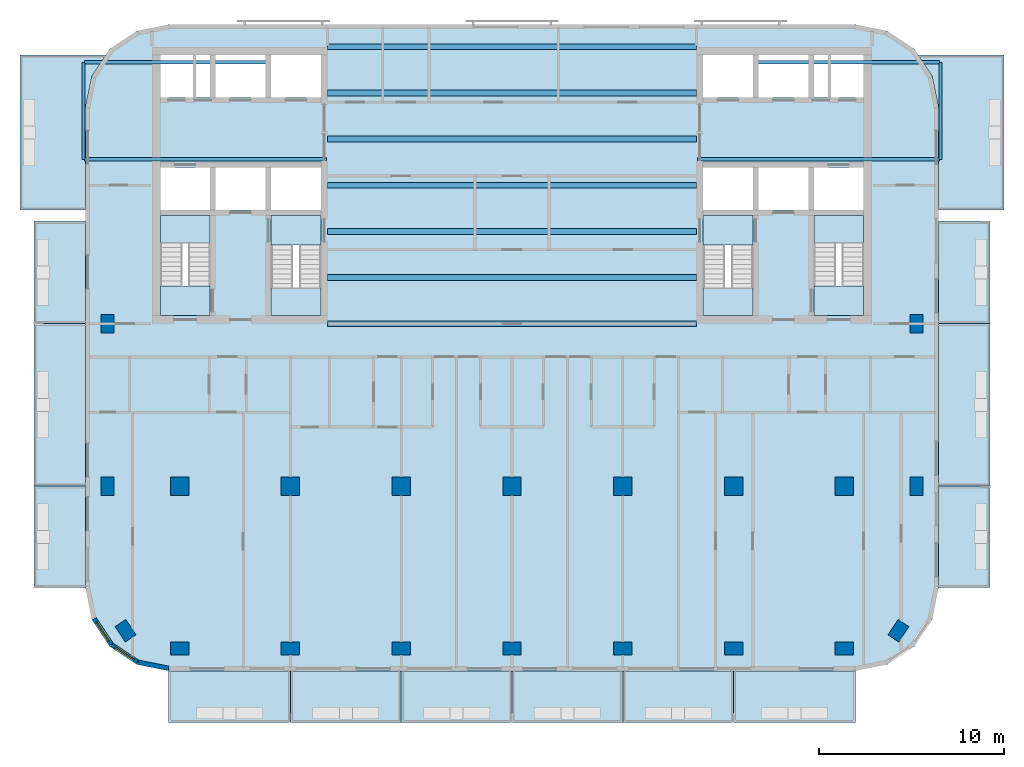
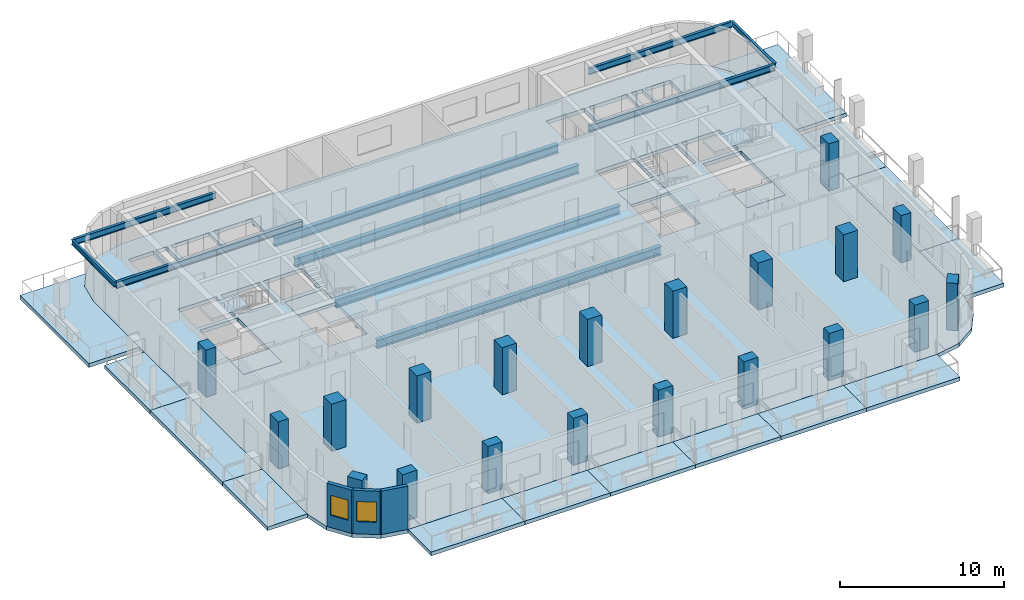
# One storey, part 1 of 11: 23 slabs, 20 columns, 13 beams, 3 walls, 2 windows, 2 openings, 4 elements without a shape of their own.
"""IFC4 building model written with IfcOpenShell, lengths in metres."""

from ifc_helpers import new_model, si_unit, direction, frame, frame_2d, origin, origin_2d, place, context, subcontext, project, spatial, polyline, rectangle, i_section, outline, extrude, material, layer, layer_set, material_profile, profile_set, type_object, element, fill, aggregate, save


model = new_model("IFC4")

# Units and contexts
model_context = context("Model", 3, precision=1e-05, world=origin(), true_north=direction((0.0, 1.0)))
body_context = subcontext(model_context, "Body", "Model", "MODEL_VIEW")
ifc_project = project(units=[si_unit("LENGTHUNIT", "METRE"), si_unit("AREAUNIT", "SQUARE_METRE"), si_unit("VOLUMEUNIT", "CUBIC_METRE"), si_unit("PLANEANGLEUNIT", "RADIAN"), si_unit("MASSUNIT", "GRAM", prefix="KILO")], contexts=[model_context])

# Site, building, storey
site_placement = place(None, origin())
site = spatial("IfcSite", under=ifc_project, at=site_placement, CompositionType="ELEMENT")
building_placement = place(site_placement, origin())
building = spatial("IfcBuilding", under=site, at=building_placement, Name="Torana Hotel and Residences", CompositionType="ELEMENT")
storey_placement = place(building_placement, frame((0.0, 0.0, 259.60009765625)))
storey = spatial("IfcBuildingStorey", under=building, at=storey_placement, Name="L68", CompositionType="ELEMENT", Elevation=259.60009765625)

# Columns
ifc_material_1 = material(Name="Concrete C50/60", Category="concrete")
ifc_material_profile_1 = material_profile(ifc_material_1, rectangle(XDim=1.0, YDim=1.0, at=origin_2d()), Name="RC 1000x1000")
ifc_profile_set_1 = profile_set([ifc_material_profile_1], Name="Concrete C50/60")
column_type_1 = type_object("IfcColumnType", Name="COLUMN RC 1000x1000 C50/60", PredefinedType="COLUMN", material=ifc_profile_set_1)
for number, where, z_axis, x_axis, name in (
    (1, (-18.0, -23.800048828125, 0.0), (0.0, 0.0, 1.0), (1.0, 0.0, 0.0), "Column L68"),
    (2, (-12.0, -23.800048828125, 0.0), (0.0, 0.0, 1.0), (1.0, 0.0, 0.0), "Column L68"),
    (3, (-6.0, -23.800048828125, 0.0), (0.0, 0.0, 1.0), (1.0, 0.0, 0.0), "Column L68"),
    (4, (0.0, -23.800048828125, 0.0), (0.0, 0.0, 1.0), (1.0, 0.0, 0.0), "Column L68"),
    (5, (6.0, -23.800048828125, 0.0), (0.0, 0.0, 1.0), (1.0, 0.0, 0.0), "Column L68"),
    (6, (12.0, -23.800048828125, 0.0), (0.0, 0.0, 1.0), (1.0, 0.0, 0.0), "Column L68"),
    (7, (18.0, -23.800048828125, 0.0), (0.0, 0.0, 1.0), (1.0, 0.0, 0.0), "Column L68"),
):
    element("IfcColumn", number, at=place(storey_placement, frame(where, z_axis=z_axis, x_axis=x_axis)), inside=storey, type_object=column_type_1, Name=name, PredefinedType="COLUMN", context=body_context, shape_type="SweptSolid", body=[
        extrude(rectangle(XDim=1.0, YDim=1.0, at=origin_2d()), origin(), (0.0, 0.0, 1.0), 3.5),
    ])
ifc_material_2 = material(Name="Concrete C50/60", Category="concrete")
ifc_material_profile_2 = material_profile(ifc_material_2, rectangle(XDim=1.0, YDim=0.699951171875, at=origin_2d()), Name="RC 1000x700")
ifc_profile_set_2 = profile_set([ifc_material_profile_2], Name="Concrete C50/60")
column_type_2 = type_object("IfcColumnType", Name="COLUMN RC 1000x700 C50/60", PredefinedType="COLUMN", material=ifc_profile_set_2)
for number, where, z_axis, x_axis, name in (
    (8, (-21.89990234375, -23.800048828125, 0.0), (0.0, 0.0, 1.0), (0.0, 1.0, 0.0), "Column L68"),
    (9, (-21.89990234375, -15.0, 0.0), (0.0, 0.0, 1.0), (0.0, 1.0, 0.0), "Column L68"),
    (10, (-20.93310546875, -31.633056640625, 0.0), (0.0, 0.0, 1.0), (-0.555584744817, 0.831459915646, 0.0), "Column L68"),
    (11, (-18.0, -32.60009765625, 0.0), (0.0, 0.0, 1.0), (1.0, 0.0, 0.0), "Column L68"),
    (12, (-12.0, -32.60009765625, 0.0), (0.0, 0.0, 1.0), (1.0, 0.0, 0.0), "Column L68"),
    (13, (-6.0, -32.60009765625, 0.0), (0.0, 0.0, 1.0), (1.0, 0.0, 0.0), "Column L68"),
    (14, (0.0, -32.60009765625, 0.0), (0.0, 0.0, 1.0), (1.0, 0.0, 0.0), "Column L68"),
    (15, (6.0, -32.60009765625, 0.0), (0.0, 0.0, 1.0), (1.0, 0.0, 0.0), "Column L68"),
    (16, (12.0, -32.60009765625, 0.0), (0.0, 0.0, 1.0), (1.0, 0.0, 0.0), "Column L68"),
    (17, (18.0, -32.60009765625, 0.0), (0.0, 0.0, 1.0), (1.0, 0.0, 0.0), "Column L68"),
    (18, (20.93310546875, -31.633056640625, 0.0), (0.0, 0.0, 1.0), (0.555584744817, 0.831459915646, 0.0), "Column L68"),
    (19, (21.89990234375, -23.800048828125, 0.0), (0.0, 0.0, 1.0), (0.0, 1.0, 0.0), "Column L68"),
    (20, (21.89990234375, -15.0, 0.0), (0.0, 0.0, 1.0), (0.0, 1.0, 0.0), "Column L68"),
):
    element("IfcColumn", number, at=place(storey_placement, frame(where, z_axis=z_axis, x_axis=x_axis)), inside=storey, type_object=column_type_2, Name=name, PredefinedType="COLUMN", context=body_context, shape_type="SweptSolid", body=[
        extrude(rectangle(XDim=1.0, YDim=0.699951171875, at=origin_2d()), origin(), (0.0, 0.0, 1.0), 3.5),
    ])

# Beams
ifc_material_3 = material(Name="Steel S355", Category="steel")
ifc_material_profile_3 = material_profile(ifc_material_3, i_section(OverallWidth=0.19287109375, OverallDepth=0.46728515625, WebThickness=0.011474609375, FlangeThickness=0.01953125, FilletRadius=0.01025390625, at=origin_2d()), Name="457x191x98 UB")
ifc_profile_set_3 = profile_set([ifc_material_profile_3], Name="Steel S355")
beam_type_1 = type_object("IfcBeamType", Name="BALCONY CANTILEVER BEAM 457x191x98 UB", PredefinedType="BEAM", material=ifc_profile_set_3)
beam_1_placement = place(storey_placement, frame((-23.1484375, -6.10009765625, 2.986328125), z_axis=(1.0, 0.0, 0.0), x_axis=(0.0, 1.0, 0.0)))
element("IfcBeam", 21, at=beam_1_placement, inside=storey, type_object=beam_type_1, Name="Balcony cantilever beam", PredefinedType="BEAM", context=body_context, shape_type="SweptSolid", body=[
    extrude(i_section(OverallWidth=0.19287109375, OverallDepth=0.46728515625, WebThickness=0.011474609375, FlangeThickness=0.01953125, FilletRadius=0.01025390625, at=origin_2d()), origin(), (0.0, 0.0, 1.0), 13.098388671875),
])
beam_2_placement = place(storey_placement, frame((-23.1484375, -0.85009765625, 2.986328125), z_axis=(1.0, 0.0, 0.0), x_axis=(0.0, 1.0, 0.0)))
element("IfcBeam", 22, at=beam_2_placement, inside=storey, type_object=beam_type_1, Name="Balcony cantilever beam", PredefinedType="BEAM", context=body_context, shape_type="SweptSolid", body=[
    extrude(i_section(OverallWidth=0.19287109375, OverallDepth=0.46728515625, WebThickness=0.011474609375, FlangeThickness=0.01953125, FilletRadius=0.01025390625, at=origin_2d()), origin(), (0.0, 0.0, 1.0), 10.04833984375),
])
beam_3_placement = place(storey_placement, frame((23.1484375, -6.10009765625, 2.986328125), z_axis=(-1.0, 0.0, 0.0), x_axis=(0.0, -1.0, 0.0)))
element("IfcBeam", 23, at=beam_3_placement, inside=storey, type_object=beam_type_1, Name="Balcony cantilever beam", PredefinedType="BEAM", context=body_context, shape_type="SweptSolid", body=[
    extrude(i_section(OverallWidth=0.19287109375, OverallDepth=0.46728515625, WebThickness=0.011474609375, FlangeThickness=0.01953125, FilletRadius=0.01025390625, at=origin_2d()), origin(), (0.0, 0.0, 1.0), 13.098388671875),
])
beam_4_placement = place(storey_placement, frame((23.1484375, -0.85009765625, 2.986328125), z_axis=(-1.0, 0.0, 0.0), x_axis=(0.0, -1.0, 0.0)))
element("IfcBeam", 24, at=beam_4_placement, inside=storey, type_object=beam_type_1, Name="Balcony cantilever beam", PredefinedType="BEAM", context=body_context, shape_type="SweptSolid", body=[
    extrude(i_section(OverallWidth=0.19287109375, OverallDepth=0.46728515625, WebThickness=0.011474609375, FlangeThickness=0.01953125, FilletRadius=0.01025390625, at=origin_2d()), origin(), (0.0, 0.0, 1.0), 10.04833984375),
])
ifc_material_4 = material(Name="Steel S355", Category="steel")
ifc_material_profile_4 = material_profile(ifc_material_4, i_section(OverallWidth=0.173095703125, OverallDepth=0.36328125, WebThickness=0.009033203125, FlangeThickness=0.015625, FilletRadius=0.01025390625, at=origin_2d()), Name="356x171x67 UB")
ifc_profile_set_4 = profile_set([ifc_material_profile_4], Name="Steel S355")
beam_type_2 = type_object("IfcBeamType", Name="BALCONY TIP BEAM 356x171x67 UB", PredefinedType="BEAM", material=ifc_profile_set_4)
for number, where, z_axis, x_axis, name in (
    (25, (-23.205078125, -6.10009765625, 3.0380859375), (0.0, 1.0, 0.0), (-1.0, 0.0, 0.0), "Balcony tip beam"),
    (26, (23.205078125, -6.10009765625, 3.0380859375), (0.0, 1.0, 0.0), (-1.0, 0.0, 0.0), "Balcony tip beam"),
):
    element("IfcBeam", number, at=place(storey_placement, frame(where, z_axis=z_axis, x_axis=x_axis)), inside=storey, type_object=beam_type_2, Name=name, PredefinedType="BEAM", context=body_context, shape_type="SweptSolid", body=[
        extrude(i_section(OverallWidth=0.173095703125, OverallDepth=0.36328125, WebThickness=0.009033203125, FlangeThickness=0.015625, FilletRadius=0.01025390625, at=origin_2d()), origin(), (0.0, 0.0, 1.0), 5.25),
    ])
ifc_material_5 = material(Name="Steel S355", Category="steel")
ifc_material_profile_5 = material_profile(ifc_material_5, i_section(OverallWidth=0.311279296875, OverallDepth=0.6357421875, WebThickness=0.018310546875, FlangeThickness=0.031494140625, FilletRadius=0.0166015625, at=origin_2d()), Name="610x305x238 UB")
ifc_profile_set_5 = profile_set([ifc_material_profile_5], Name="Steel S355")
beam_type_3 = type_object("IfcBeamType", Name="STEEL GIRDER 610x305x238 UB", PredefinedType="BEAM", material=ifc_profile_set_5)
for number, where, z_axis, x_axis, name in (
    (27, (-10.0, -15.0, -0.597900390625), (1.0, 0.0, 0.0), (0.0, 1.0, 0.0), "Floor girder"),
    (28, (-10.0, -12.5, -0.597900390625), (1.0, 0.0, 0.0), (0.0, 1.0, 0.0), "Floor girder"),
    (29, (-10.0, -10.0, -0.597900390625), (1.0, 0.0, 0.0), (0.0, 1.0, 0.0), "Floor girder"),
    (30, (-10.0, -7.5, -0.597900390625), (1.0, 0.0, 0.0), (0.0, 1.0, 0.0), "Floor girder"),
    (31, (-10.0, -5.0, -0.597900390625), (1.0, 0.0, 0.0), (0.0, 1.0, 0.0), "Floor girder"),
    (32, (-10.0, -2.5, -0.597900390625), (1.0, 0.0, 0.0), (0.0, 1.0, 0.0), "Floor girder"),
    (33, (-10.0, 0.0, -0.597900390625), (1.0, 0.0, 0.0), (0.0, 1.0, 0.0), "Floor girder"),
):
    element("IfcBeam", number, at=place(storey_placement, frame(where, z_axis=z_axis, x_axis=x_axis)), inside=storey, type_object=beam_type_3, Name=name, PredefinedType="BEAM", context=body_context, shape_type="SweptSolid", body=[
        extrude(i_section(OverallWidth=0.311279296875, OverallDepth=0.6357421875, WebThickness=0.018310546875, FlangeThickness=0.031494140625, FilletRadius=0.0166015625, at=origin_2d()), origin(), (0.0, 0.0, 1.0), 20.0),
    ])

# Slabs
ifc_material_6 = material(Name="Concrete C40/50", Category="concrete")
ifc_layer_1 = layer(ifc_material_6, 0.280029296875)
ifc_layer_set_1 = layer_set([ifc_layer_1], Name="BAL1 BALCONY SLAB 280")
slab_type_1 = type_object("IfcSlabType", Name="BAL1 BALCONY SLAB 280", PredefinedType="USERDEFINED", material=ifc_layer_set_1)
slab_1_placement = place(storey_placement, frame((0.0, 0.0, -0.280029296875)))
element("IfcSlab", 34, at=slab_1_placement, inside=storey, type_object=slab_type_1, Name="Balcony 01", ObjectType="BALCONY", PredefinedType="USERDEFINED", context=body_context, shape_type="SweptSolid", body=[
    extrude(outline(polyline([(-18.60009765625, -36.60009765625), (-12.0, -36.60009765625), (-12.0, -33.800048828125), (-18.60009765625, -33.800048828125), (-18.60009765625, -36.60009765625)])), origin(), (0.0, 0.0, 1.0), 0.280029296875),
])
slab_2_placement = place(storey_placement, frame((0.0, 0.0, -0.280029296875)))
element("IfcSlab", 35, at=slab_2_placement, inside=storey, type_object=slab_type_1, Name="Balcony 02", ObjectType="BALCONY", PredefinedType="USERDEFINED", context=body_context, shape_type="SweptSolid", body=[
    extrude(outline(polyline([(-12.0, -36.60009765625), (-6.0, -36.60009765625), (-6.0, -33.800048828125), (-12.0, -33.800048828125), (-12.0, -36.60009765625)])), origin(), (0.0, 0.0, 1.0), 0.280029296875),
])
slab_3_placement = place(storey_placement, frame((0.0, 0.0, -0.280029296875)))
element("IfcSlab", 36, at=slab_3_placement, inside=storey, type_object=slab_type_1, Name="Balcony 03", ObjectType="BALCONY", PredefinedType="USERDEFINED", context=body_context, shape_type="SweptSolid", body=[
    extrude(outline(polyline([(-6.0, -36.60009765625), (0.0, -36.60009765625), (0.0, -33.800048828125), (-6.0, -33.800048828125), (-6.0, -36.60009765625)])), origin(), (0.0, 0.0, 1.0), 0.280029296875),
])
slab_4_placement = place(storey_placement, frame((0.0, 0.0, -0.280029296875)))
element("IfcSlab", 37, at=slab_4_placement, inside=storey, type_object=slab_type_1, Name="Balcony 04", ObjectType="BALCONY", PredefinedType="USERDEFINED", context=body_context, shape_type="SweptSolid", body=[
    extrude(outline(polyline([(0.0, -36.60009765625), (6.0, -36.60009765625), (6.0, -33.800048828125), (0.0, -33.800048828125), (0.0, -36.60009765625)])), origin(), (0.0, 0.0, 1.0), 0.280029296875),
])
slab_5_placement = place(storey_placement, frame((0.0, 0.0, -0.280029296875)))
element("IfcSlab", 38, at=slab_5_placement, inside=storey, type_object=slab_type_1, Name="Balcony 05", ObjectType="BALCONY", PredefinedType="USERDEFINED", context=body_context, shape_type="SweptSolid", body=[
    extrude(outline(polyline([(6.0, -36.60009765625), (12.0, -36.60009765625), (12.0, -33.800048828125), (6.0, -33.800048828125), (6.0, -36.60009765625)])), origin(), (0.0, 0.0, 1.0), 0.280029296875),
])
slab_6_placement = place(storey_placement, frame((0.0, 0.0, -0.280029296875)))
element("IfcSlab", 39, at=slab_6_placement, inside=storey, type_object=slab_type_1, Name="Balcony 06", ObjectType="BALCONY", PredefinedType="USERDEFINED", context=body_context, shape_type="SweptSolid", body=[
    extrude(outline(polyline([(12.0, -36.60009765625), (18.60009765625, -36.60009765625), (18.60009765625, -33.800048828125), (12.0, -33.800048828125), (12.0, -36.60009765625)])), origin(), (0.0, 0.0, 1.0), 0.280029296875),
])
slab_7_placement = place(storey_placement, frame((0.0, 0.0, -0.280029296875)))
element("IfcSlab", 40, at=slab_7_placement, inside=storey, type_object=slab_type_1, Name="Balcony 07", ObjectType="BALCONY", PredefinedType="USERDEFINED", context=body_context, shape_type="SweptSolid", body=[
    extrude(outline(polyline([(-25.89990234375, -29.300048828125), (-23.10009765625, -29.300048828125), (-23.10009765625, -23.800048828125), (-25.89990234375, -23.800048828125), (-25.89990234375, -29.300048828125)])), origin(), (0.0, 0.0, 1.0), 0.280029296875),
])
slab_8_placement = place(storey_placement, frame((0.0, 0.0, -0.280029296875)))
element("IfcSlab", 41, at=slab_8_placement, inside=storey, type_object=slab_type_1, Name="Balcony 08", ObjectType="BALCONY", PredefinedType="USERDEFINED", context=body_context, shape_type="SweptSolid", body=[
    extrude(outline(polyline([(-25.89990234375, -23.800048828125), (-23.10009765625, -23.800048828125), (-23.10009765625, -15.0), (-25.89990234375, -15.0), (-25.89990234375, -23.800048828125)])), origin(), (0.0, 0.0, 1.0), 0.280029296875),
])
slab_9_placement = place(storey_placement, frame((0.0, 0.0, -0.280029296875)))
element("IfcSlab", 42, at=slab_9_placement, inside=storey, type_object=slab_type_1, Name="Balcony 09", ObjectType="BALCONY", PredefinedType="USERDEFINED", context=body_context, shape_type="SweptSolid", body=[
    extrude(outline(polyline([(-25.89990234375, -15.0), (-23.10009765625, -15.0), (-23.10009765625, -9.449951171875), (-25.89990234375, -9.449951171875), (-25.89990234375, -15.0)])), origin(), (0.0, 0.0, 1.0), 0.280029296875),
])
slab_10_placement = place(storey_placement, frame((0.0, 0.0, -0.280029296875)))
element("IfcSlab", 43, at=slab_10_placement, inside=storey, type_object=slab_type_1, Name="Balcony 10", ObjectType="BALCONY", PredefinedType="USERDEFINED", context=body_context, shape_type="SweptSolid", body=[
    extrude(outline(polyline([(-26.64990234375, -8.85009765625), (-23.10009765625, -8.85009765625), (-23.10009765625, -3.300048828125), (-22.757568359375, -1.577880859375), (-22.00390625, -0.449951171875), (-26.64990234375, -0.449951171875), (-26.64990234375, -8.85009765625)])), origin(), (0.0, 0.0, 1.0), 0.280029296875),
])
slab_11_placement = place(storey_placement, frame((0.0, 0.0, -0.280029296875)))
element("IfcSlab", 44, at=slab_11_placement, inside=storey, type_object=slab_type_1, Name="Balcony 11", ObjectType="BALCONY", PredefinedType="USERDEFINED", context=body_context, shape_type="SweptSolid", body=[
    extrude(outline(polyline([(23.10009765625, -29.300048828125), (25.89990234375, -29.300048828125), (25.89990234375, -23.800048828125), (23.10009765625, -23.800048828125), (23.10009765625, -29.300048828125)])), origin(), (0.0, 0.0, 1.0), 0.280029296875),
])
slab_12_placement = place(storey_placement, frame((0.0, 0.0, -0.280029296875)))
element("IfcSlab", 45, at=slab_12_placement, inside=storey, type_object=slab_type_1, Name="Balcony 12", ObjectType="BALCONY", PredefinedType="USERDEFINED", context=body_context, shape_type="SweptSolid", body=[
    extrude(outline(polyline([(23.10009765625, -23.800048828125), (25.89990234375, -23.800048828125), (25.89990234375, -15.0), (23.10009765625, -15.0), (23.10009765625, -23.800048828125)])), origin(), (0.0, 0.0, 1.0), 0.280029296875),
])
slab_13_placement = place(storey_placement, frame((0.0, 0.0, -0.280029296875)))
element("IfcSlab", 46, at=slab_13_placement, inside=storey, type_object=slab_type_1, Name="Balcony 13", ObjectType="BALCONY", PredefinedType="USERDEFINED", context=body_context, shape_type="SweptSolid", body=[
    extrude(outline(polyline([(23.10009765625, -15.0), (25.89990234375, -15.0), (25.89990234375, -9.449951171875), (23.10009765625, -9.449951171875), (23.10009765625, -15.0)])), origin(), (0.0, 0.0, 1.0), 0.280029296875),
])
slab_14_placement = place(storey_placement, frame((0.0, 0.0, -0.280029296875)))
element("IfcSlab", 47, at=slab_14_placement, inside=storey, type_object=slab_type_1, Name="Balcony 14", ObjectType="BALCONY", PredefinedType="USERDEFINED", context=body_context, shape_type="SweptSolid", body=[
    extrude(outline(polyline([(23.10009765625, -8.85009765625), (26.64990234375, -8.85009765625), (26.64990234375, -0.449951171875), (22.00390625, -0.449951171875), (22.757568359375, -1.577880859375), (23.10009765625, -3.300048828125), (23.10009765625, -8.85009765625)])), origin(), (0.0, 0.0, 1.0), 0.280029296875),
])
ifc_material_7 = material(Name="Concrete C40/50", Category="concrete")
ifc_layer_2 = layer(ifc_material_7, 0.280029296875)
ifc_layer_set_2 = layer_set([ifc_layer_2], Name="FLOOR SLAB PT 280")
slab_type_2 = type_object("IfcSlabType", Name="FLOOR SLAB PT 280", PredefinedType="FLOOR", material=ifc_layer_set_2)
slab_15_placement = place(storey_placement, frame((0.0, 0.0, -0.280029296875)))
element("IfcSlab", 48, at=slab_15_placement, inside=storey, type_object=slab_type_2, Name="Floor slab", PredefinedType="FLOOR", context=body_context, shape_type="SweptSolid", body=[
    extrude(outline(polyline([(23.10009765625, -3.300048828125), (22.757568359375, -1.577880859375), (21.781982421875, -0.117919921875), (20.322021484375, 0.857421875), (18.60009765625, 1.199951171875), (-18.60009765625, 1.199951171875), (-20.322021484375, 0.857421875), (-21.781982421875, -0.117919921875), (-22.757568359375, -1.577880859375), (-23.10009765625, -3.300048828125), (-23.10009765625, -29.300048828125), (-22.757568359375, -31.022216796875), (-21.781982421875, -32.48193359375), (-20.322021484375, -33.45751953125), (-18.60009765625, -33.800048828125), (18.60009765625, -33.800048828125), (20.322021484375, -33.45751953125), (21.781982421875, -32.48193359375), (22.757568359375, -31.022216796875), (23.10009765625, -29.300048828125), (23.10009765625, -3.300048828125)]), holes=[polyline([(-13.050048828125, -14.550048828125), (-10.35009765625, -14.550048828125), (-10.35009765625, -9.14990234375), (-13.050048828125, -9.14990234375), (-13.050048828125, -14.550048828125)]), polyline([(-19.050048828125, -14.550048828125), (-16.35009765625, -14.550048828125), (-16.35009765625, -9.14990234375), (-19.050048828125, -9.14990234375), (-19.050048828125, -14.550048828125)]), polyline([(-17.125, -2.75), (-16.35009765625, -2.75), (-16.35009765625, -0.449951171875), (-17.125, -0.449951171875), (-17.125, -2.75)]), polyline([(-19.050048828125, -2.75), (-17.27490234375, -2.75), (-17.27490234375, -0.449951171875), (-19.050048828125, -0.449951171875), (-19.050048828125, -2.75)]), polyline([(-13.050048828125, -2.75), (-10.35009765625, -2.75), (-10.35009765625, -0.449951171875), (-13.050048828125, -0.449951171875), (-13.050048828125, -2.75)]), polyline([(-16.050048828125, -2.75), (-13.35009765625, -2.75), (-13.35009765625, -0.449951171875), (-16.050048828125, -0.449951171875), (-16.050048828125, -2.75)]), polyline([(-13.050048828125, -8.85009765625), (-10.35009765625, -8.85009765625), (-10.35009765625, -6.550048828125), (-13.050048828125, -6.550048828125), (-13.050048828125, -8.85009765625)]), polyline([(-16.050048828125, -8.85009765625), (-13.35009765625, -8.85009765625), (-13.35009765625, -6.550048828125), (-16.050048828125, -6.550048828125), (-16.050048828125, -8.85009765625)]), polyline([(-19.050048828125, -8.85009765625), (-16.35009765625, -8.85009765625), (-16.35009765625, -6.550048828125), (-19.050048828125, -6.550048828125), (-19.050048828125, -8.85009765625)]), polyline([(10.35009765625, -14.550048828125), (13.050048828125, -14.550048828125), (13.050048828125, -9.14990234375), (10.35009765625, -9.14990234375), (10.35009765625, -14.550048828125)]), polyline([(16.35009765625, -14.550048828125), (19.050048828125, -14.550048828125), (19.050048828125, -9.14990234375), (16.35009765625, -9.14990234375), (16.35009765625, -14.550048828125)]), polyline([(16.35009765625, -2.75), (17.125, -2.75), (17.125, -0.449951171875), (16.35009765625, -0.449951171875), (16.35009765625, -2.75)]), polyline([(17.27490234375, -2.75), (19.050048828125, -2.75), (19.050048828125, -0.449951171875), (17.27490234375, -0.449951171875), (17.27490234375, -2.75)]), polyline([(10.35009765625, -2.75), (13.050048828125, -2.75), (13.050048828125, -0.449951171875), (10.35009765625, -0.449951171875), (10.35009765625, -2.75)]), polyline([(13.35009765625, -2.75), (16.050048828125, -2.75), (16.050048828125, -0.449951171875), (13.35009765625, -0.449951171875), (13.35009765625, -2.75)]), polyline([(10.35009765625, -8.85009765625), (13.050048828125, -8.85009765625), (13.050048828125, -6.550048828125), (10.35009765625, -6.550048828125), (10.35009765625, -8.85009765625)]), polyline([(13.35009765625, -8.85009765625), (16.050048828125, -8.85009765625), (16.050048828125, -6.550048828125), (13.35009765625, -6.550048828125), (13.35009765625, -8.85009765625)]), polyline([(16.35009765625, -8.85009765625), (19.050048828125, -8.85009765625), (19.050048828125, -6.550048828125), (16.35009765625, -6.550048828125), (16.35009765625, -8.85009765625)])]), origin(), (0.0, 0.0, 1.0), 0.280029296875),
])

# Stair, slabs
ifc_material_8 = material(Name="Concrete C40/50 precast", Category="concrete")
stair_type_1 = type_object("IfcStairType", Name="STAIR ST1 HALF TURN 1200", PredefinedType="HALF_TURN_STAIR", material=ifc_material_8)
stair_1_placement = place(storey_placement, origin())
stair_1 = element("IfcStair", 49, at=stair_1_placement, inside=storey, type_object=stair_type_1, Name="Stair ST1 L68", PredefinedType="HALF_TURN_STAIR")
ifc_material_9 = material(Name="Concrete C40/50 precast", Category="concrete")
ifc_layer_3 = layer(ifc_material_9, 0.199951171875)
ifc_layer_set_3 = layer_set([ifc_layer_3], Name="STAIR LANDING 200")
slab_type_3 = type_object("IfcSlabType", Name="STAIR LANDING 200", PredefinedType="LANDING", material=ifc_layer_set_3)
slab_16_placement = place(storey_placement, frame((0.0, 0.0, 1.5498046875)))
slab_16 = element("IfcSlab", 50, at=slab_16_placement, type_object=slab_type_3, Name="ST1 landing 1", PredefinedType="LANDING", context=body_context, shape_type="SweptSolid", body=[
    extrude(outline(polyline([(-13.050048828125, -14.550048828125), (-10.35009765625, -14.550048828125), (-10.35009765625, -13.090087890625), (-13.050048828125, -13.090087890625), (-13.050048828125, -14.550048828125)])), origin(), (0.0, 0.0, 1.0), 0.2001953125),
])
slab_17_placement = place(storey_placement, frame((0.0, 0.0, -0.2001953125)))
slab_17 = element("IfcSlab", 51, at=slab_17_placement, type_object=slab_type_3, Name="ST1 landing 2", PredefinedType="LANDING", context=body_context, shape_type="SweptSolid", body=[
    extrude(outline(polyline([(-13.050048828125, -10.75), (-10.35009765625, -10.75), (-10.35009765625, -9.14990234375), (-13.050048828125, -9.14990234375), (-13.050048828125, -10.75)])), origin(), (0.0, 0.0, 1.0), 0.2001953125),
])
aggregate(stair_1, [slab_16, slab_17])

ifc_material_10 = material(Name="Concrete C40/50 precast", Category="concrete")
stair_type_2 = type_object("IfcStairType", Name="STAIR ST2 HALF TURN 1200", PredefinedType="HALF_TURN_STAIR", material=ifc_material_10)
stair_2_placement = place(storey_placement, origin())
stair_2 = element("IfcStair", 52, at=stair_2_placement, inside=storey, type_object=stair_type_2, Name="Stair ST2 L68", PredefinedType="HALF_TURN_STAIR")
slab_18_placement = place(storey_placement, frame((0.0, 0.0, 1.5498046875)))
slab_18 = element("IfcSlab", 53, at=slab_18_placement, type_object=slab_type_3, Name="ST2 landing 1", PredefinedType="LANDING", context=body_context, shape_type="SweptSolid", body=[
    extrude(outline(polyline([(-19.050048828125, -10.610107421875), (-16.35009765625, -10.610107421875), (-16.35009765625, -9.14990234375), (-19.050048828125, -9.14990234375), (-19.050048828125, -10.610107421875)])), origin(), (0.0, 0.0, 1.0), 0.2001953125),
])
slab_19_placement = place(storey_placement, frame((0.0, 0.0, -0.2001953125)))
slab_19 = element("IfcSlab", 54, at=slab_19_placement, type_object=slab_type_3, Name="ST2 landing 2", PredefinedType="LANDING", context=body_context, shape_type="SweptSolid", body=[
    extrude(outline(polyline([(-19.050048828125, -14.550048828125), (-16.35009765625, -14.550048828125), (-16.35009765625, -12.949951171875), (-19.050048828125, -12.949951171875), (-19.050048828125, -14.550048828125)])), origin(), (0.0, 0.0, 1.0), 0.2001953125),
])
aggregate(stair_2, [slab_18, slab_19])

ifc_material_11 = material(Name="Concrete C40/50 precast", Category="concrete")
stair_type_3 = type_object("IfcStairType", Name="STAIR ST3 HALF TURN 1200", PredefinedType="HALF_TURN_STAIR", material=ifc_material_11)
stair_3_placement = place(storey_placement, origin())
stair_3 = element("IfcStair", 55, at=stair_3_placement, inside=storey, type_object=stair_type_3, Name="Stair ST3 L68", PredefinedType="HALF_TURN_STAIR")
slab_20_placement = place(storey_placement, frame((0.0, 0.0, 1.5498046875)))
slab_20 = element("IfcSlab", 56, at=slab_20_placement, type_object=slab_type_3, Name="ST3 landing 1", PredefinedType="LANDING", context=body_context, shape_type="SweptSolid", body=[
    extrude(outline(polyline([(10.35009765625, -14.550048828125), (13.050048828125, -14.550048828125), (13.050048828125, -13.090087890625), (10.35009765625, -13.090087890625), (10.35009765625, -14.550048828125)])), origin(), (0.0, 0.0, 1.0), 0.2001953125),
])
slab_21_placement = place(storey_placement, frame((0.0, 0.0, -0.2001953125)))
slab_21 = element("IfcSlab", 57, at=slab_21_placement, type_object=slab_type_3, Name="ST3 landing 2", PredefinedType="LANDING", context=body_context, shape_type="SweptSolid", body=[
    extrude(outline(polyline([(10.35009765625, -10.75), (13.050048828125, -10.75), (13.050048828125, -9.14990234375), (10.35009765625, -9.14990234375), (10.35009765625, -10.75)])), origin(), (0.0, 0.0, 1.0), 0.2001953125),
])
aggregate(stair_3, [slab_20, slab_21])

ifc_material_12 = material(Name="Concrete C40/50 precast", Category="concrete")
stair_type_4 = type_object("IfcStairType", Name="STAIR ST4 HALF TURN 1200", PredefinedType="HALF_TURN_STAIR", material=ifc_material_12)
stair_4_placement = place(storey_placement, origin())
stair_4 = element("IfcStair", 58, at=stair_4_placement, inside=storey, type_object=stair_type_4, Name="Stair ST4 L68", PredefinedType="HALF_TURN_STAIR")
slab_22_placement = place(storey_placement, frame((0.0, 0.0, 1.5498046875)))
slab_22 = element("IfcSlab", 59, at=slab_22_placement, type_object=slab_type_3, Name="ST4 landing 1", PredefinedType="LANDING", context=body_context, shape_type="SweptSolid", body=[
    extrude(outline(polyline([(16.35009765625, -10.610107421875), (19.050048828125, -10.610107421875), (19.050048828125, -9.14990234375), (16.35009765625, -9.14990234375), (16.35009765625, -10.610107421875)])), origin(), (0.0, 0.0, 1.0), 0.2001953125),
])
slab_23_placement = place(storey_placement, frame((0.0, 0.0, -0.2001953125)))
slab_23 = element("IfcSlab", 60, at=slab_23_placement, type_object=slab_type_3, Name="ST4 landing 2", PredefinedType="LANDING", context=body_context, shape_type="SweptSolid", body=[
    extrude(outline(polyline([(16.35009765625, -14.550048828125), (19.050048828125, -14.550048828125), (19.050048828125, -12.949951171875), (16.35009765625, -12.949951171875), (16.35009765625, -14.550048828125)])), origin(), (0.0, 0.0, 1.0), 0.2001953125),
])
aggregate(stair_4, [slab_22, slab_23])

# Wall, opening, window
ifc_material_13 = material(Name="Black aluminium composite panel", Category="aluminium")
ifc_layer_4 = layer(ifc_material_13, 0.00390625, Name="Cladding", Category="cladding")
ifc_material_14 = material(Name="Ventilated air cavity")
ifc_layer_5 = layer(ifc_material_14, 0.0400390625, Name="Ventilated cavity", Category="cavity")
ifc_material_15 = material(Name="Mineral wool insulation")
ifc_layer_6 = layer(ifc_material_15, 0.090087890625, Name="Insulation", Category="insulation")
ifc_material_16 = material(Name="Steel S280GD", Category="steel")
ifc_layer_7 = layer(ifc_material_16, 0.092041015625, Name="Steel stud frame", Category="structure")
ifc_material_17 = material(Name="Fire rated plasterboard")
ifc_layer_8 = layer(ifc_material_17, 0.011962890625, Name="Inner board", Category="finish")
ifc_layer_9 = layer(ifc_material_17, 0.011962890625, Name="Second board", Category="finish")
ifc_layer_set_4 = layer_set([ifc_layer_4, ifc_layer_5, ifc_layer_6, ifc_layer_7, ifc_layer_8, ifc_layer_9], Name="EW1 EXTERNAL WALL BLACK METAL CLAD 250")
wall_type = type_object("IfcWallType", Name="EW1 EXTERNAL WALL BLACK METAL CLAD 250", PredefinedType="SOLIDWALL", material=ifc_layer_set_4)
wall_1_placement = place(storey_placement, frame((-22.6259765625, -30.993896484375, 0.0), z_axis=(0.0, 0.0, 1.0), x_axis=(0.55555029066, -0.831482937015, 0.0)))
wall_1 = element("IfcWall", 61, at=wall_1_placement, inside=storey, type_object=wall_type, Name="External wall L68 e0.11", PredefinedType="SOLIDWALL", context=body_context, shape_type="SweptSolid", body=[
    extrude(rectangle(XDim=1.65625, YDim=0.25, at=frame_2d((0.828125, 0.0))), origin(), (0.0, 0.0, 1.0), 3.219970703125),
])
opening_1_placement = place(wall_1_placement, frame((0.228271484375, 0.0, 0.89990234375)))
opening_1 = element("IfcOpeningElement", 62, at=opening_1_placement, cuts=wall_1, Name="Opening W5", PredefinedType="OPENING", context=body_context, shape_type="SweptSolid", body=[
    extrude(rectangle(XDim=1.199951171875, YDim=1.5, at=frame_2d((0.60009765625, 0.75))), frame((0.0, 0.135009765625, 0.0), z_axis=(0.0, -1.0, 0.0), x_axis=(1.0, 0.0, 0.0)), (0.0, 0.0, 1.0), 0.27001953125),
])
ifc_material_18 = material(Name="Dark glass in black aluminium frame", Category="aluminium")
window_type = type_object("IfcWindowType", Name="W5 CORNER FACET WINDOW 1200x1500", PartitioningType="SINGLE_PANEL", PredefinedType="WINDOW", material=ifc_material_18)
window_1_placement = place(opening_1_placement, origin())
window_1 = element("IfcWindow", 63, at=window_1_placement, inside=storey, type_object=window_type, Name="Window L68 e0.11", OverallHeight=1.5, OverallWidth=1.199951171875, PartitioningType="SINGLE_PANEL", PredefinedType="WINDOW", context=body_context, shape_type="SweptSolid", body=[
    extrude(rectangle(XDim=1.199951171875, YDim=1.5, at=frame_2d((0.60009765625, 0.75))), frame((0.0, 0.030029296875, 0.0), z_axis=(0.0, -1.0, 0.0), x_axis=(1.0, 0.0, 0.0)), (0.0, 0.0, 1.0), 0.06005859375),
])
fill(opening_1, window_1)

wall_2_placement = place(storey_placement, frame((-21.671142578125, -32.40576171875, 0.0), z_axis=(0.0, 0.0, 1.0), x_axis=(0.831482937015, -0.55555029066, 0.0)))
wall_2 = element("IfcWall", 64, at=wall_2_placement, inside=storey, type_object=wall_type, Name="External wall L68 e0.12", PredefinedType="SOLIDWALL", context=body_context, shape_type="SweptSolid", body=[
    extrude(rectangle(XDim=1.65625, YDim=0.25, at=frame_2d((0.828125, 0.0))), origin(), (0.0, 0.0, 1.0), 3.219970703125),
])
opening_2_placement = place(wall_2_placement, frame((0.228271484375, 0.0, 0.89990234375)))
opening_2 = element("IfcOpeningElement", 65, at=opening_2_placement, cuts=wall_2, Name="Opening W5", PredefinedType="OPENING", context=body_context, shape_type="SweptSolid", body=[
    extrude(rectangle(XDim=1.199951171875, YDim=1.5, at=frame_2d((0.60009765625, 0.75))), frame((0.0, 0.135009765625, 0.0), z_axis=(0.0, -1.0, 0.0), x_axis=(1.0, 0.0, 0.0)), (0.0, 0.0, 1.0), 0.27001953125),
])
window_2_placement = place(opening_2_placement, origin())
window_2 = element("IfcWindow", 66, at=window_2_placement, inside=storey, type_object=window_type, Name="Window L68 e0.12", OverallHeight=1.5, OverallWidth=1.199951171875, PartitioningType="SINGLE_PANEL", PredefinedType="WINDOW", context=body_context, shape_type="SweptSolid", body=[
    extrude(rectangle(XDim=1.199951171875, YDim=1.5, at=frame_2d((0.60009765625, 0.75))), frame((0.0, 0.030029296875, 0.0), z_axis=(0.0, -1.0, 0.0), x_axis=(1.0, 0.0, 0.0)), (0.0, 0.0, 1.0), 0.06005859375),
])
fill(opening_2, window_2)

# Wall
wall_3_placement = place(storey_placement, frame((-20.248779296875, -33.344482421875, 0.0), z_axis=(0.0, 0.0, 1.0), x_axis=(0.980770110232, -0.195166572128, 0.0)))
element("IfcWall", 67, at=wall_3_placement, inside=storey, type_object=wall_type, Name="External wall L68 e0.13", PredefinedType="SOLIDWALL", context=body_context, shape_type="SweptSolid", body=[
    extrude(rectangle(XDim=1.68115234375, YDim=0.25, at=frame_2d((0.840576171875, 0.0))), origin(), (0.0, 0.0, 1.0), 3.219970703125),
])

save(model, "model.ifc")
